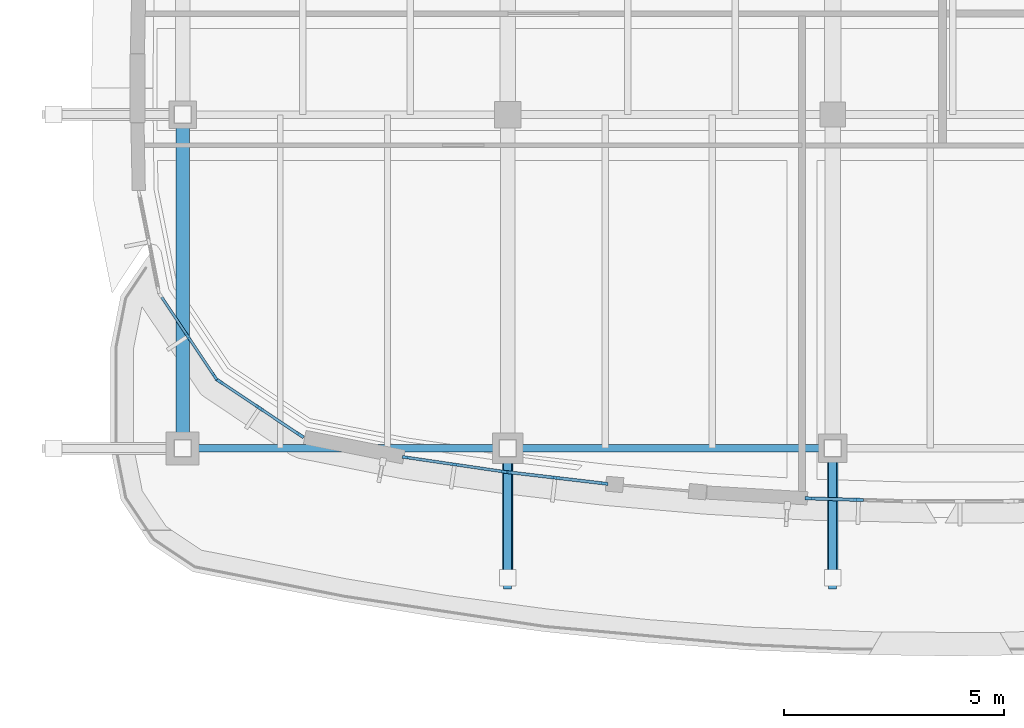
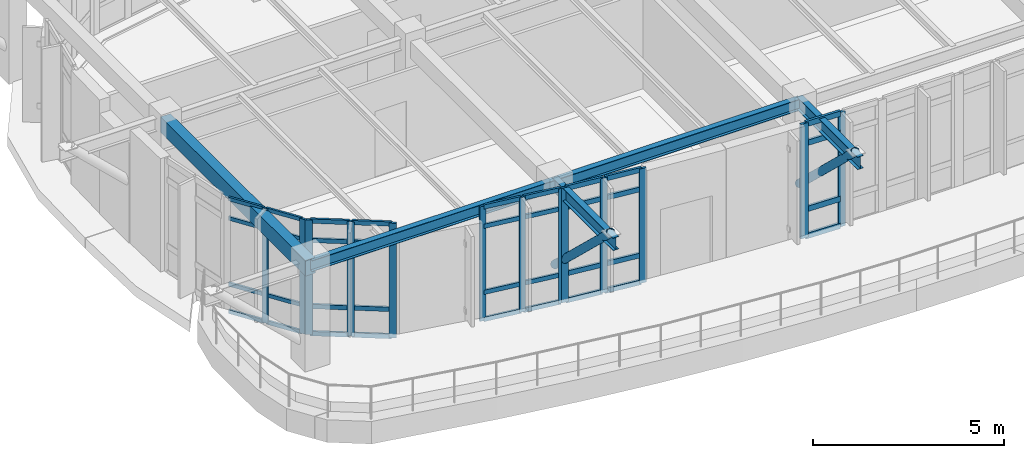
# One storey, part 22 of 105: 51 members, 5 beams, 5 elements without a shape of their own.
"""IFC4 building model written with IfcOpenShell, lengths in metres."""

from ifc_helpers import new_model, si_unit, direction, frame, origin, origin_2d, place, context, subcontext, project, spatial, rectangle, hollow_circle, i_section, extrude, material, material_profile, profile_set, type_object, element, aggregate, save


model = new_model("IFC4")

# Units and contexts
model_context = context("Model", 3, precision=1e-05, world=origin(), true_north=direction((0.0, 1.0)))
body_context = subcontext(model_context, "Body", "Model", "MODEL_VIEW")
ifc_project = project(units=[si_unit("LENGTHUNIT", "METRE"), si_unit("AREAUNIT", "SQUARE_METRE"), si_unit("VOLUMEUNIT", "CUBIC_METRE"), si_unit("PLANEANGLEUNIT", "RADIAN"), si_unit("MASSUNIT", "GRAM", prefix="KILO")], contexts=[model_context])

# Site, building, storey
site_placement = place(None, origin())
site = spatial("IfcSite", under=ifc_project, at=site_placement, CompositionType="ELEMENT")
building_placement = place(site_placement, origin())
building = spatial("IfcBuilding", under=site, at=building_placement, Name="Corveleigh Park Community Centre", CompositionType="ELEMENT")
storey_placement = place(building_placement, frame((0.0, 0.0, 8.699951171875)))
storey = spatial("IfcBuildingStorey", under=building, at=storey_placement, Name="L02", CompositionType="ELEMENT", Elevation=8.699951171875)

# Beams
ifc_material_1 = material(Name="Concrete C40/50", Category="concrete")
ifc_material_profile_1 = material_profile(ifc_material_1, rectangle(XDim=0.300048828125, YDim=0.5, at=origin_2d()), Name="RC-300x500", Category="concrete")
ifc_profile_set_1 = profile_set([ifc_material_profile_1], Name="Concrete C40/50")
beam_type_1 = type_object("IfcBeamType", Name="BM-RC-300x500", PredefinedType="BEAM", material=ifc_profile_set_1)
beam_1_placement = place(storey_placement, frame((72.0, 11.205078125, 3.362060546875), z_axis=(0.0, 1.0, 0.0), x_axis=(-1.0, 0.0, 0.0)))
element("IfcBeam", 1, at=beam_1_placement, inside=storey, type_object=beam_type_1, Name="V3 Girder Y", PredefinedType="BEAM", context=body_context, shape_type="SweptSolid", body=[
    extrude(rectangle(XDim=0.300048828125, YDim=0.5, at=origin_2d()), origin(), (0.0, 0.0, 1.0), 7.58984375),
])
ifc_material_2 = material(Name="Steel S355", Category="steel")
ifc_material_profile_2 = material_profile(ifc_material_2, i_section(OverallWidth=0.172119140625, OverallDepth=0.35791015625, WebThickness=0.008056640625, FlangeThickness=0.012939453125, at=origin_2d()), Name="UKB 356x171x57", Category="steel")
ifc_profile_set_2 = profile_set([ifc_material_profile_2], Name="Steel S355")
beam_type_2 = type_object("IfcBeamType", Name="BM-STL-UKB356x57", PredefinedType="BEAM", material=ifc_profile_set_2)
beam_2_placement = place(storey_placement, frame((72.0048828125, 11.199951171875, 3.43310546875), z_axis=(1.0, 0.0, 0.0), x_axis=(0.0, 1.0, 0.0)))
element("IfcBeam", 2, at=beam_2_placement, inside=storey, type_object=beam_type_2, Name="V3 Girder X", PredefinedType="BEAM", context=body_context, shape_type="SweptSolid", body=[
    extrude(i_section(OverallWidth=0.172119140625, OverallDepth=0.35791015625, WebThickness=0.008056640625, FlangeThickness=0.012939453125, at=origin_2d()), origin(), (0.0, 0.0, 1.0), 7.39013671875),
])
ifc_material_profile_3 = material_profile(ifc_material_2, i_section(OverallWidth=0.173095703125, OverallDepth=0.36328125, WebThickness=0.009033203125, FlangeThickness=0.015625, at=origin_2d()), Name="UKB 356x171x67", Category="steel")
ifc_profile_set_3 = profile_set([ifc_material_profile_3], Name="Steel S355")
beam_type_3 = type_object("IfcBeamType", Name="BM-STL-UKB356x67", PredefinedType="BEAM", material=ifc_profile_set_3)
beam_3_placement = place(storey_placement, frame((79.405029296875, 11.199951171875, 3.430419921875), z_axis=(1.0, 0.0, 0.0), x_axis=(0.0, 1.0, 0.0)))
element("IfcBeam", 3, at=beam_3_placement, inside=storey, type_object=beam_type_3, Name="V3 Girder X", PredefinedType="BEAM", context=body_context, shape_type="SweptSolid", body=[
    extrude(i_section(OverallWidth=0.173095703125, OverallDepth=0.36328125, WebThickness=0.009033203125, FlangeThickness=0.015625, at=origin_2d()), origin(), (0.0, 0.0, 1.0), 7.389892578125),
])
ifc_material_profile_4 = material_profile(ifc_material_2, i_section(OverallWidth=0.1787109375, OverallDepth=0.409423828125, WebThickness=0.0087890625, FlangeThickness=0.014404296875, at=origin_2d()), Name="UKB 406x178x67", Category="steel")
ifc_profile_set_4 = profile_set([ifc_material_profile_4], Name="Steel S355")
beam_type_4 = type_object("IfcBeamType", Name="BM-STL-UKB406x67", PredefinedType="BEAM", material=ifc_profile_set_4)
for number, where, z_axis, x_axis, name in (
    (4, (79.39990234375, 11.18994140625, 3.459228515625), (0.0, -1.0, 0.0), (1.0, 0.0, 0.0), "V3 Pebble Overhang Strut 2-0 Outrigger"),
    (5, (86.800048828125, 11.18994140625, 3.459228515625), (0.0, -1.0, 0.0), (1.0, 0.0, 0.0), "V3 Pebble Overhang Strut 3-0 Outrigger"),
):
    element("IfcBeam", number, at=place(storey_placement, frame(where, z_axis=z_axis, x_axis=x_axis)), inside=storey, type_object=beam_type_4, Name=name, PredefinedType="BEAM", context=body_context, shape_type="SweptSolid", body=[
        extrude(i_section(OverallWidth=0.1787109375, OverallDepth=0.409423828125, WebThickness=0.0087890625, FlangeThickness=0.014404296875, at=origin_2d()), origin(), (0.0, 0.0, 1.0), 3.18994140625),
    ])

# Curtain wall, members
ifc_material_3 = material(Name="Anodised aluminium 6063-T6", Category="aluminium")
curtain_wall_type = type_object("IfcCurtainWallType", Name="CW-SYS-V3-UPP", PredefinedType="NOTDEFINED", material=ifc_material_3)
curtain_wall_1_placement = place(storey_placement, origin())
curtain_wall_1 = element("IfcCurtainWall", 6, at=curtain_wall_1_placement, inside=storey, type_object=curtain_wall_type, Name="V3 L02 Curtain Wall 332", PredefinedType="NOTDEFINED")
ifc_material_profile_5 = material_profile(ifc_material_3, rectangle(XDim=0.06494140625, YDim=0.179931640625, at=origin_2d()), Name="ALU-M65x180", Category="aluminium")
ifc_profile_set_5 = profile_set([ifc_material_profile_5], Name="Anodised aluminium 6063-T6")
member_type_1 = type_object("IfcMemberType", Name="CWM-65x180", PredefinedType="MULLION", material=ifc_profile_set_5)
member_1_placement = place(storey_placement, frame((79.292724609375, 10.670654296875, 0.0), z_axis=(0.0, 0.0, 1.0), x_axis=(-0.144966003251, -0.989436636628, 0.0)))
member_1 = element("IfcMember", 7, at=member_1_placement, type_object=member_type_1, Name="CW06 mullion 1", PredefinedType="MULLION", context=body_context, shape_type="SweptSolid", body=[
    extrude(rectangle(XDim=0.06494140625, YDim=0.179931640625, at=origin_2d()), origin(), (0.0, 0.0, 1.0), 3.6640625),
])
member_2_placement = place(storey_placement, frame((78.19189453125, 10.83203125, 0.0), z_axis=(0.0, 0.0, 1.0), x_axis=(-0.144966003251, -0.989436636628, 0.0)))
member_2 = element("IfcMember", 8, at=member_2_placement, type_object=member_type_1, Name="CW06 mullion 2", PredefinedType="MULLION", context=body_context, shape_type="SweptSolid", body=[
    extrude(rectangle(XDim=0.06494140625, YDim=0.179931640625, at=origin_2d()), origin(), (0.0, 0.0, 1.0), 3.6640625),
])
member_3_placement = place(storey_placement, frame((77.091064453125, 10.993408203125, 0.0), z_axis=(0.0, 0.0, 1.0), x_axis=(-0.144966003251, -0.989436636628, 0.0)))
member_3 = element("IfcMember", 9, at=member_3_placement, type_object=member_type_1, Name="CW06 mullion 3", PredefinedType="MULLION", context=body_context, shape_type="SweptSolid", body=[
    extrude(rectangle(XDim=0.06494140625, YDim=0.179931640625, at=origin_2d()), origin(), (0.0, 0.0, 1.0), 3.6640625),
])

curtain_wall_2_placement = place(storey_placement, origin())
curtain_wall_2 = element("IfcCurtainWall", 10, at=curtain_wall_2_placement, inside=storey, type_object=curtain_wall_type, Name="V3 L02 Curtain Wall 356", PredefinedType="NOTDEFINED")
member_4_placement = place(storey_placement, frame((72.72802734375, 12.8349609375, 0.0), z_axis=(0.0, 0.0, 1.0), x_axis=(-0.831711453149, -0.55520812197, 0.0)))
member_4 = element("IfcMember", 11, at=member_4_placement, type_object=member_type_1, Name="CW06 mullion 1", PredefinedType="MULLION", context=body_context, shape_type="SweptSolid", body=[
    extrude(rectangle(XDim=0.06494140625, YDim=0.179931640625, at=origin_2d()), origin(), (0.0, 0.0, 1.0), 3.6640625),
])
member_5_placement = place(storey_placement, frame((72.115478515625, 13.75244140625, 0.0), z_axis=(0.0, 0.0, 1.0), x_axis=(-0.831711453149, -0.55520812197, 0.0)))
member_5 = element("IfcMember", 12, at=member_5_placement, type_object=member_type_1, Name="CW06 mullion 2", PredefinedType="MULLION", context=body_context, shape_type="SweptSolid", body=[
    extrude(rectangle(XDim=0.06494140625, YDim=0.179931640625, at=origin_2d()), origin(), (0.0, 0.0, 1.0), 3.6640625),
])

curtain_wall_3_placement = place(storey_placement, origin())
curtain_wall_3 = element("IfcCurtainWall", 13, at=curtain_wall_3_placement, inside=storey, type_object=curtain_wall_type, Name="V3 L02 Curtain Wall 333", PredefinedType="NOTDEFINED")
ifc_material_profile_6 = material_profile(ifc_material_3, rectangle(XDim=0.070068359375, YDim=0.199951171875, at=origin_2d()), Name="ALU-M70x200", Category="aluminium")
ifc_profile_set_6 = profile_set([ifc_material_profile_6], Name="Anodised aluminium 6063-T6")
member_type_2 = type_object("IfcMemberType", Name="CWM-70x200", PredefinedType="MULLION", material=ifc_profile_set_6)
member_6_placement = place(storey_placement, frame((81.584228515625, 10.401123046875, 0.0), z_axis=(0.0, 0.0, 1.0), x_axis=(-0.116512098316, -0.993189272468, 0.0)))
member_6 = element("IfcMember", 14, at=member_6_placement, type_object=member_type_2, Name="CW06 mullion 1", PredefinedType="MULLION", context=body_context, shape_type="SweptSolid", body=[
    extrude(rectangle(XDim=0.070068359375, YDim=0.199951171875, at=origin_2d()), origin(), (0.0, 0.0, 1.0), 3.6640625),
])
member_7_placement = place(storey_placement, frame((80.48095703125, 10.530517578125, 0.0), z_axis=(0.0, 0.0, 1.0), x_axis=(-0.116512098316, -0.993189272468, 0.0)))
member_7 = element("IfcMember", 15, at=member_7_placement, type_object=member_type_2, Name="CW06 mullion 2", PredefinedType="MULLION", context=body_context, shape_type="SweptSolid", body=[
    extrude(rectangle(XDim=0.070068359375, YDim=0.199951171875, at=origin_2d()), origin(), (0.0, 0.0, 1.0), 3.6640625),
])
member_8_placement = place(storey_placement, frame((79.377685546875, 10.659912109375, 0.0), z_axis=(0.0, 0.0, 1.0), x_axis=(-0.116512098316, -0.993189272468, 0.0)))
member_8 = element("IfcMember", 16, at=member_8_placement, type_object=member_type_2, Name="CW06 mullion 3", PredefinedType="MULLION", context=body_context, shape_type="SweptSolid", body=[
    extrude(rectangle(XDim=0.070068359375, YDim=0.199951171875, at=origin_2d()), origin(), (0.0, 0.0, 1.0), 3.6640625),
])

curtain_wall_4_placement = place(storey_placement, origin())
curtain_wall_4 = element("IfcCurtainWall", 17, at=curtain_wall_4_placement, inside=storey, type_object=curtain_wall_type, Name="V3 L02 Curtain Wall 357", PredefinedType="NOTDEFINED")
member_9_placement = place(storey_placement, frame((74.66796875, 11.50439453125, 0.0), z_axis=(0.0, 0.0, 1.0), x_axis=(-0.55520812197, -0.831711453149, 0.0)))
member_9 = element("IfcMember", 18, at=member_9_placement, type_object=member_type_2, Name="CW06 mullion 1", PredefinedType="MULLION", context=body_context, shape_type="SweptSolid", body=[
    extrude(rectangle(XDim=0.070068359375, YDim=0.199951171875, at=origin_2d()), origin(), (0.0, 0.0, 1.0), 3.6640625),
])
member_10_placement = place(storey_placement, frame((73.75244140625, 12.115478515625, 0.0), z_axis=(0.0, 0.0, 1.0), x_axis=(-0.55520812197, -0.831711453149, 0.0)))
member_10 = element("IfcMember", 19, at=member_10_placement, type_object=member_type_2, Name="CW06 mullion 2", PredefinedType="MULLION", context=body_context, shape_type="SweptSolid", body=[
    extrude(rectangle(XDim=0.070068359375, YDim=0.199951171875, at=origin_2d()), origin(), (0.0, 0.0, 1.0), 3.6640625),
])
member_11_placement = place(storey_placement, frame((72.837158203125, 12.7265625, 0.0), z_axis=(0.0, 0.0, 1.0), x_axis=(-0.55520812197, -0.831711453149, 0.0)))
member_11 = element("IfcMember", 20, at=member_11_placement, type_object=member_type_2, Name="CW06 mullion 3", PredefinedType="MULLION", context=body_context, shape_type="SweptSolid", body=[
    extrude(rectangle(XDim=0.070068359375, YDim=0.199951171875, at=origin_2d()), origin(), (0.0, 0.0, 1.0), 3.6640625),
])

curtain_wall_5_placement = place(storey_placement, origin())
curtain_wall_5 = element("IfcCurtainWall", 21, at=curtain_wall_5_placement, inside=storey, type_object=curtain_wall_type, Name="V3 L02 Curtain Wall 334", PredefinedType="NOTDEFINED")
ifc_material_profile_7 = material_profile(ifc_material_3, rectangle(XDim=0.074951171875, YDim=0.219970703125, at=origin_2d()), Name="ALU-M75x220", Category="aluminium")
ifc_profile_set_7 = profile_set([ifc_material_profile_7], Name="Anodised aluminium 6063-T6")
member_type_3 = type_object("IfcMemberType", Name="CWM-75x220", PredefinedType="MULLION", material=ifc_profile_set_7)
member_12_placement = place(storey_placement, frame((87.390380859375, 10.026611328125, 0.0), z_axis=(0.0, 0.0, 1.0), x_axis=(-0.029232373224, -0.999572642861, 0.0)))
member_12 = element("IfcMember", 22, at=member_12_placement, type_object=member_type_3, Name="CW06 mullion 2", PredefinedType="MULLION", context=body_context, shape_type="SweptSolid", body=[
    extrude(rectangle(XDim=0.074951171875, YDim=0.219970703125, at=origin_2d()), origin(), (0.0, 0.0, 1.0), 3.6640625),
])
member_13_placement = place(storey_placement, frame((86.282470703125, 10.058837890625, 0.0), z_axis=(0.0, 0.0, 1.0), x_axis=(-0.029232373224, -0.999572642861, 0.0)))
member_13 = element("IfcMember", 23, at=member_13_placement, type_object=member_type_3, Name="CW06 mullion 3", PredefinedType="MULLION", context=body_context, shape_type="SweptSolid", body=[
    extrude(rectangle(XDim=0.074951171875, YDim=0.219970703125, at=origin_2d()), origin(), (0.0, 0.0, 1.0), 3.6640625),
])

# Member
ifc_material_profile_8 = material_profile(ifc_material_3, rectangle(XDim=0.06005859375, YDim=0.1201171875, at=origin_2d()), Name="ALU-T60x120", Category="aluminium")
ifc_profile_set_8 = profile_set([ifc_material_profile_8], Name="Anodised aluminium 6063-T6")
member_type_4 = type_object("IfcMemberType", Name="CWT-60x120", PredefinedType="USERDEFINED", material=ifc_profile_set_8)
member_14_placement = place(storey_placement, frame((72.7099609375, 12.862060546875, 0.030029296875), z_axis=(-0.555188488549, 0.831724559084, 0.0), x_axis=(-0.831724559084, -0.555188488549, 0.0)))
member_14 = element("IfcMember", 24, at=member_14_placement, type_object=member_type_4, Name="CW06 transom 1.1", ObjectType="TRANSOM", PredefinedType="USERDEFINED", context=body_context, shape_type="SweptSolid", body=[
    extrude(rectangle(XDim=0.06005859375, YDim=0.1201171875, at=origin_2d()), origin(), (0.0, 0.0, 1.0), 1.038330078125),
])

member_15_placement = place(storey_placement, frame((72.7099609375, 12.862060546875, 0.900146484375), z_axis=(-0.555188488549, 0.831724559084, 0.0), x_axis=(-0.831724559084, -0.555188488549, 0.0)))
member_15 = element("IfcMember", 25, at=member_15_placement, type_object=member_type_4, Name="CW06 transom 1.2", ObjectType="TRANSOM", PredefinedType="USERDEFINED", context=body_context, shape_type="SweptSolid", body=[
    extrude(rectangle(XDim=0.06005859375, YDim=0.1201171875, at=origin_2d()), origin(), (0.0, 0.0, 1.0), 1.038330078125),
])

member_16_placement = place(storey_placement, frame((72.7099609375, 12.862060546875, 3.01416015625), z_axis=(-0.555188488549, 0.831724559084, 0.0), x_axis=(-0.831724559084, -0.555188488549, 0.0)))
member_16 = element("IfcMember", 26, at=member_16_placement, type_object=member_type_4, Name="CW06 transom 1.3", ObjectType="TRANSOM", PredefinedType="USERDEFINED", context=body_context, shape_type="SweptSolid", body=[
    extrude(rectangle(XDim=0.06005859375, YDim=0.1201171875, at=origin_2d()), origin(), (0.0, 0.0, 1.0), 1.038330078125),
])

member_17_placement = place(storey_placement, frame((72.7099609375, 12.862060546875, 3.634033203125), z_axis=(-0.555188488549, 0.831724559084, 0.0), x_axis=(-0.831724559084, -0.555188488549, 0.0)))
member_17 = element("IfcMember", 27, at=member_17_placement, type_object=member_type_4, Name="CW06 transom 1.4", ObjectType="TRANSOM", PredefinedType="USERDEFINED", context=body_context, shape_type="SweptSolid", body=[
    extrude(rectangle(XDim=0.06005859375, YDim=0.1201171875, at=origin_2d()), origin(), (0.0, 0.0, 1.0), 1.038330078125),
])

member_18_placement = place(storey_placement, frame((72.097412109375, 13.779541015625, 0.030029296875), z_axis=(-0.555297088707, 0.831652056616, 0.0), x_axis=(-0.831652056616, -0.555297088707, 0.0)))
member_18 = element("IfcMember", 28, at=member_18_placement, type_object=member_type_4, Name="CW06 transom 2.1", ObjectType="TRANSOM", PredefinedType="USERDEFINED", context=body_context, shape_type="SweptSolid", body=[
    extrude(rectangle(XDim=0.06005859375, YDim=0.1201171875, at=origin_2d()), origin(), (0.0, 0.0, 1.0), 1.0380859375),
])

member_19_placement = place(storey_placement, frame((72.097412109375, 13.779541015625, 0.900146484375), z_axis=(-0.555297088707, 0.831652056616, 0.0), x_axis=(-0.831652056616, -0.555297088707, 0.0)))
member_19 = element("IfcMember", 29, at=member_19_placement, type_object=member_type_4, Name="CW06 transom 2.2", ObjectType="TRANSOM", PredefinedType="USERDEFINED", context=body_context, shape_type="SweptSolid", body=[
    extrude(rectangle(XDim=0.06005859375, YDim=0.1201171875, at=origin_2d()), origin(), (0.0, 0.0, 1.0), 1.0380859375),
])

member_20_placement = place(storey_placement, frame((72.097412109375, 13.779541015625, 3.01416015625), z_axis=(-0.555297088707, 0.831652056616, 0.0), x_axis=(-0.831652056616, -0.555297088707, 0.0)))
member_20 = element("IfcMember", 30, at=member_20_placement, type_object=member_type_4, Name="CW06 transom 2.3", ObjectType="TRANSOM", PredefinedType="USERDEFINED", context=body_context, shape_type="SweptSolid", body=[
    extrude(rectangle(XDim=0.06005859375, YDim=0.1201171875, at=origin_2d()), origin(), (0.0, 0.0, 1.0), 1.0380859375),
])

member_21_placement = place(storey_placement, frame((72.097412109375, 13.779541015625, 3.634033203125), z_axis=(-0.555297088707, 0.831652056616, 0.0), x_axis=(-0.831652056616, -0.555297088707, 0.0)))
member_21 = element("IfcMember", 31, at=member_21_placement, type_object=member_type_4, Name="CW06 transom 2.4", ObjectType="TRANSOM", PredefinedType="USERDEFINED", context=body_context, shape_type="SweptSolid", body=[
    extrude(rectangle(XDim=0.06005859375, YDim=0.1201171875, at=origin_2d()), origin(), (0.0, 0.0, 1.0), 1.0380859375),
])

aggregate(curtain_wall_2, [member_4, member_5, member_14, member_15, member_16, member_17, member_18, member_19, member_20, member_21])

ifc_material_profile_9 = material_profile(ifc_material_3, rectangle(XDim=0.06494140625, YDim=0.139892578125, at=origin_2d()), Name="ALU-T65x140", Category="aluminium")
ifc_profile_set_9 = profile_set([ifc_material_profile_9], Name="Anodised aluminium 6063-T6")
member_type_5 = type_object("IfcMemberType", Name="CWT-65x140", PredefinedType="USERDEFINED", material=ifc_profile_set_9)
member_22_placement = place(storey_placement, frame((79.2607421875, 10.675537109375, 0.032470703125), z_axis=(-0.989439881467, 0.144943854515, 0.0), x_axis=(-0.144943854515, -0.989439881467, 0.0)))
member_22 = element("IfcMember", 32, at=member_22_placement, type_object=member_type_5, Name="CW06 transom 1.1", ObjectType="TRANSOM", PredefinedType="USERDEFINED", context=body_context, shape_type="SweptSolid", body=[
    extrude(rectangle(XDim=0.06494140625, YDim=0.139892578125, at=origin_2d()), origin(), (0.0, 0.0, 1.0), 1.047607421875),
])

member_23_placement = place(storey_placement, frame((79.2607421875, 10.675537109375, 0.900146484375), z_axis=(-0.989439881467, 0.144943854515, 0.0), x_axis=(-0.144943854515, -0.989439881467, 0.0)))
member_23 = element("IfcMember", 33, at=member_23_placement, type_object=member_type_5, Name="CW06 transom 1.2", ObjectType="TRANSOM", PredefinedType="USERDEFINED", context=body_context, shape_type="SweptSolid", body=[
    extrude(rectangle(XDim=0.06494140625, YDim=0.139892578125, at=origin_2d()), origin(), (0.0, 0.0, 1.0), 1.047607421875),
])

member_24_placement = place(storey_placement, frame((79.2607421875, 10.675537109375, 3.01416015625), z_axis=(-0.989439881467, 0.144943854515, 0.0), x_axis=(-0.144943854515, -0.989439881467, 0.0)))
member_24 = element("IfcMember", 34, at=member_24_placement, type_object=member_type_5, Name="CW06 transom 1.3", ObjectType="TRANSOM", PredefinedType="USERDEFINED", context=body_context, shape_type="SweptSolid", body=[
    extrude(rectangle(XDim=0.06494140625, YDim=0.139892578125, at=origin_2d()), origin(), (0.0, 0.0, 1.0), 1.047607421875),
])

member_25_placement = place(storey_placement, frame((79.2607421875, 10.675537109375, 3.631591796875), z_axis=(-0.989439881467, 0.144943854515, 0.0), x_axis=(-0.144943854515, -0.989439881467, 0.0)))
member_25 = element("IfcMember", 35, at=member_25_placement, type_object=member_type_5, Name="CW06 transom 1.4", ObjectType="TRANSOM", PredefinedType="USERDEFINED", context=body_context, shape_type="SweptSolid", body=[
    extrude(rectangle(XDim=0.06494140625, YDim=0.139892578125, at=origin_2d()), origin(), (0.0, 0.0, 1.0), 1.047607421875),
])

member_26_placement = place(storey_placement, frame((78.159912109375, 10.836669921875, 0.032470703125), z_axis=(-0.989439881467, 0.144943854515, 0.0), x_axis=(-0.144943854515, -0.989439881467, 0.0)))
member_26 = element("IfcMember", 36, at=member_26_placement, type_object=member_type_5, Name="CW06 transom 2.1", ObjectType="TRANSOM", PredefinedType="USERDEFINED", context=body_context, shape_type="SweptSolid", body=[
    extrude(rectangle(XDim=0.06494140625, YDim=0.139892578125, at=origin_2d()), origin(), (0.0, 0.0, 1.0), 1.047607421875),
])

member_27_placement = place(storey_placement, frame((78.159912109375, 10.836669921875, 0.900146484375), z_axis=(-0.989439881467, 0.144943854515, 0.0), x_axis=(-0.144943854515, -0.989439881467, 0.0)))
member_27 = element("IfcMember", 37, at=member_27_placement, type_object=member_type_5, Name="CW06 transom 2.2", ObjectType="TRANSOM", PredefinedType="USERDEFINED", context=body_context, shape_type="SweptSolid", body=[
    extrude(rectangle(XDim=0.06494140625, YDim=0.139892578125, at=origin_2d()), origin(), (0.0, 0.0, 1.0), 1.047607421875),
])

member_28_placement = place(storey_placement, frame((78.159912109375, 10.836669921875, 3.01416015625), z_axis=(-0.989439881467, 0.144943854515, 0.0), x_axis=(-0.144943854515, -0.989439881467, 0.0)))
member_28 = element("IfcMember", 38, at=member_28_placement, type_object=member_type_5, Name="CW06 transom 2.3", ObjectType="TRANSOM", PredefinedType="USERDEFINED", context=body_context, shape_type="SweptSolid", body=[
    extrude(rectangle(XDim=0.06494140625, YDim=0.139892578125, at=origin_2d()), origin(), (0.0, 0.0, 1.0), 1.047607421875),
])

member_29_placement = place(storey_placement, frame((78.159912109375, 10.836669921875, 3.631591796875), z_axis=(-0.989439881467, 0.144943854515, 0.0), x_axis=(-0.144943854515, -0.989439881467, 0.0)))
member_29 = element("IfcMember", 39, at=member_29_placement, type_object=member_type_5, Name="CW06 transom 2.4", ObjectType="TRANSOM", PredefinedType="USERDEFINED", context=body_context, shape_type="SweptSolid", body=[
    extrude(rectangle(XDim=0.06494140625, YDim=0.139892578125, at=origin_2d()), origin(), (0.0, 0.0, 1.0), 1.047607421875),
])

aggregate(curtain_wall_1, [member_1, member_2, member_3, member_22, member_23, member_24, member_25, member_26, member_27, member_28, member_29])

member_30_placement = place(storey_placement, frame((74.638671875, 11.52392578125, 0.032470703125), z_axis=(-0.831795071234, 0.555082840188, 0.0), x_axis=(-0.555082840188, -0.831795071234, 0.0)))
member_30 = element("IfcMember", 40, at=member_30_placement, type_object=member_type_5, Name="CW06 transom 1.1", ObjectType="TRANSOM", PredefinedType="USERDEFINED", context=body_context, shape_type="SweptSolid", body=[
    extrude(rectangle(XDim=0.06494140625, YDim=0.139892578125, at=origin_2d()), origin(), (0.0, 0.0, 1.0), 1.030517578125),
])

member_31_placement = place(storey_placement, frame((74.638671875, 11.52392578125, 0.900146484375), z_axis=(-0.831795071234, 0.555082840188, 0.0), x_axis=(-0.555082840188, -0.831795071234, 0.0)))
member_31 = element("IfcMember", 41, at=member_31_placement, type_object=member_type_5, Name="CW06 transom 1.2", ObjectType="TRANSOM", PredefinedType="USERDEFINED", context=body_context, shape_type="SweptSolid", body=[
    extrude(rectangle(XDim=0.06494140625, YDim=0.139892578125, at=origin_2d()), origin(), (0.0, 0.0, 1.0), 1.030517578125),
])

member_32_placement = place(storey_placement, frame((74.638671875, 11.52392578125, 3.01416015625), z_axis=(-0.831795071234, 0.555082840188, 0.0), x_axis=(-0.555082840188, -0.831795071234, 0.0)))
member_32 = element("IfcMember", 42, at=member_32_placement, type_object=member_type_5, Name="CW06 transom 1.3", ObjectType="TRANSOM", PredefinedType="USERDEFINED", context=body_context, shape_type="SweptSolid", body=[
    extrude(rectangle(XDim=0.06494140625, YDim=0.139892578125, at=origin_2d()), origin(), (0.0, 0.0, 1.0), 1.030517578125),
])

member_33_placement = place(storey_placement, frame((74.638671875, 11.52392578125, 3.631591796875), z_axis=(-0.831795071234, 0.555082840188, 0.0), x_axis=(-0.555082840188, -0.831795071234, 0.0)))
member_33 = element("IfcMember", 43, at=member_33_placement, type_object=member_type_5, Name="CW06 transom 1.4", ObjectType="TRANSOM", PredefinedType="USERDEFINED", context=body_context, shape_type="SweptSolid", body=[
    extrude(rectangle(XDim=0.06494140625, YDim=0.139892578125, at=origin_2d()), origin(), (0.0, 0.0, 1.0), 1.030517578125),
])

member_34_placement = place(storey_placement, frame((73.723388671875, 12.135009765625, 0.032470703125), z_axis=(-0.831795071234, 0.555082840188, 0.0), x_axis=(-0.555082840188, -0.831795071234, 0.0)))
member_34 = element("IfcMember", 44, at=member_34_placement, type_object=member_type_5, Name="CW06 transom 2.1", ObjectType="TRANSOM", PredefinedType="USERDEFINED", context=body_context, shape_type="SweptSolid", body=[
    extrude(rectangle(XDim=0.06494140625, YDim=0.139892578125, at=origin_2d()), origin(), (0.0, 0.0, 1.0), 1.030517578125),
])

member_35_placement = place(storey_placement, frame((73.723388671875, 12.135009765625, 0.900146484375), z_axis=(-0.831795071234, 0.555082840188, 0.0), x_axis=(-0.555082840188, -0.831795071234, 0.0)))
member_35 = element("IfcMember", 45, at=member_35_placement, type_object=member_type_5, Name="CW06 transom 2.2", ObjectType="TRANSOM", PredefinedType="USERDEFINED", context=body_context, shape_type="SweptSolid", body=[
    extrude(rectangle(XDim=0.06494140625, YDim=0.139892578125, at=origin_2d()), origin(), (0.0, 0.0, 1.0), 1.030517578125),
])

member_36_placement = place(storey_placement, frame((73.723388671875, 12.135009765625, 3.01416015625), z_axis=(-0.831795071234, 0.555082840188, 0.0), x_axis=(-0.555082840188, -0.831795071234, 0.0)))
member_36 = element("IfcMember", 46, at=member_36_placement, type_object=member_type_5, Name="CW06 transom 2.3", ObjectType="TRANSOM", PredefinedType="USERDEFINED", context=body_context, shape_type="SweptSolid", body=[
    extrude(rectangle(XDim=0.06494140625, YDim=0.139892578125, at=origin_2d()), origin(), (0.0, 0.0, 1.0), 1.030517578125),
])

member_37_placement = place(storey_placement, frame((73.723388671875, 12.135009765625, 3.631591796875), z_axis=(-0.831795071234, 0.555082840188, 0.0), x_axis=(-0.555082840188, -0.831795071234, 0.0)))
member_37 = element("IfcMember", 47, at=member_37_placement, type_object=member_type_5, Name="CW06 transom 2.4", ObjectType="TRANSOM", PredefinedType="USERDEFINED", context=body_context, shape_type="SweptSolid", body=[
    extrude(rectangle(XDim=0.06494140625, YDim=0.139892578125, at=origin_2d()), origin(), (0.0, 0.0, 1.0), 1.030517578125),
])

aggregate(curtain_wall_4, [member_9, member_10, member_11, member_30, member_31, member_32, member_33, member_34, member_35, member_36, member_37])

ifc_material_profile_10 = material_profile(ifc_material_3, rectangle(XDim=0.070068359375, YDim=0.155029296875, at=origin_2d()), Name="ALU-T70x155", Category="aluminium")
ifc_profile_set_10 = profile_set([ifc_material_profile_10], Name="Anodised aluminium 6063-T6")
member_type_6 = type_object("IfcMemberType", Name="CWT-70x155", PredefinedType="USERDEFINED", material=ifc_profile_set_10)
member_38_placement = place(storey_placement, frame((81.549560546875, 10.4052734375, 0.03515625), z_axis=(-0.993208127481, 0.116351259148, 0.0), x_axis=(-0.116351259148, -0.993208127481, 0.0)))
member_38 = element("IfcMember", 48, at=member_38_placement, type_object=member_type_6, Name="CW06 transom 1.1", ObjectType="TRANSOM", PredefinedType="USERDEFINED", context=body_context, shape_type="SweptSolid", body=[
    extrude(rectangle(XDim=0.070068359375, YDim=0.155029296875, at=origin_2d()), origin(), (0.0, 0.0, 1.0), 1.040771484375),
])

member_39_placement = place(storey_placement, frame((81.549560546875, 10.4052734375, 0.900146484375), z_axis=(-0.993208127481, 0.116351259148, 0.0), x_axis=(-0.116351259148, -0.993208127481, 0.0)))
member_39 = element("IfcMember", 49, at=member_39_placement, type_object=member_type_6, Name="CW06 transom 1.2", ObjectType="TRANSOM", PredefinedType="USERDEFINED", context=body_context, shape_type="SweptSolid", body=[
    extrude(rectangle(XDim=0.070068359375, YDim=0.155029296875, at=origin_2d()), origin(), (0.0, 0.0, 1.0), 1.040771484375),
])

member_40_placement = place(storey_placement, frame((81.549560546875, 10.4052734375, 3.01416015625), z_axis=(-0.993208127481, 0.116351259148, 0.0), x_axis=(-0.116351259148, -0.993208127481, 0.0)))
member_40 = element("IfcMember", 50, at=member_40_placement, type_object=member_type_6, Name="CW06 transom 1.3", ObjectType="TRANSOM", PredefinedType="USERDEFINED", context=body_context, shape_type="SweptSolid", body=[
    extrude(rectangle(XDim=0.070068359375, YDim=0.155029296875, at=origin_2d()), origin(), (0.0, 0.0, 1.0), 1.040771484375),
])

member_41_placement = place(storey_placement, frame((81.549560546875, 10.4052734375, 3.629150390625), z_axis=(-0.993208127481, 0.116351259148, 0.0), x_axis=(-0.116351259148, -0.993208127481, 0.0)))
member_41 = element("IfcMember", 51, at=member_41_placement, type_object=member_type_6, Name="CW06 transom 1.4", ObjectType="TRANSOM", PredefinedType="USERDEFINED", context=body_context, shape_type="SweptSolid", body=[
    extrude(rectangle(XDim=0.070068359375, YDim=0.155029296875, at=origin_2d()), origin(), (0.0, 0.0, 1.0), 1.040771484375),
])

member_42_placement = place(storey_placement, frame((80.4462890625, 10.53466796875, 0.03515625), z_axis=(-0.993208127481, 0.116351259148, 0.0), x_axis=(-0.116351259148, -0.993208127481, 0.0)))
member_42 = element("IfcMember", 52, at=member_42_placement, type_object=member_type_6, Name="CW06 transom 2.1", ObjectType="TRANSOM", PredefinedType="USERDEFINED", context=body_context, shape_type="SweptSolid", body=[
    extrude(rectangle(XDim=0.070068359375, YDim=0.155029296875, at=origin_2d()), origin(), (0.0, 0.0, 1.0), 1.040771484375),
])

member_43_placement = place(storey_placement, frame((80.4462890625, 10.53466796875, 0.900146484375), z_axis=(-0.993208127481, 0.116351259148, 0.0), x_axis=(-0.116351259148, -0.993208127481, 0.0)))
member_43 = element("IfcMember", 53, at=member_43_placement, type_object=member_type_6, Name="CW06 transom 2.2", ObjectType="TRANSOM", PredefinedType="USERDEFINED", context=body_context, shape_type="SweptSolid", body=[
    extrude(rectangle(XDim=0.070068359375, YDim=0.155029296875, at=origin_2d()), origin(), (0.0, 0.0, 1.0), 1.040771484375),
])

member_44_placement = place(storey_placement, frame((80.4462890625, 10.53466796875, 3.01416015625), z_axis=(-0.993208127481, 0.116351259148, 0.0), x_axis=(-0.116351259148, -0.993208127481, 0.0)))
member_44 = element("IfcMember", 54, at=member_44_placement, type_object=member_type_6, Name="CW06 transom 2.3", ObjectType="TRANSOM", PredefinedType="USERDEFINED", context=body_context, shape_type="SweptSolid", body=[
    extrude(rectangle(XDim=0.070068359375, YDim=0.155029296875, at=origin_2d()), origin(), (0.0, 0.0, 1.0), 1.040771484375),
])

member_45_placement = place(storey_placement, frame((80.4462890625, 10.53466796875, 3.629150390625), z_axis=(-0.993208127481, 0.116351259148, 0.0), x_axis=(-0.116351259148, -0.993208127481, 0.0)))
member_45 = element("IfcMember", 55, at=member_45_placement, type_object=member_type_6, Name="CW06 transom 2.4", ObjectType="TRANSOM", PredefinedType="USERDEFINED", context=body_context, shape_type="SweptSolid", body=[
    extrude(rectangle(XDim=0.070068359375, YDim=0.155029296875, at=origin_2d()), origin(), (0.0, 0.0, 1.0), 1.040771484375),
])

aggregate(curtain_wall_3, [member_6, member_7, member_8, member_38, member_39, member_40, member_41, member_42, member_43, member_44, member_45])

ifc_material_profile_11 = material_profile(ifc_material_3, rectangle(XDim=0.074951171875, YDim=0.175048828125, at=origin_2d()), Name="ALU-T75x175", Category="aluminium")
ifc_profile_set_11 = profile_set([ifc_material_profile_11], Name="Anodised aluminium 6063-T6")
member_type_7 = type_object("IfcMemberType", Name="CWT-75x175", PredefinedType="USERDEFINED", material=ifc_profile_set_11)
member_46_placement = place(storey_placement, frame((87.35302734375, 10.027587890625, 0.03759765625), z_axis=(-0.999570811909, 0.029294913892, 0.0), x_axis=(-0.029294913892, -0.999570811909, 0.0)))
member_46 = element("IfcMember", 56, at=member_46_placement, type_object=member_type_7, Name="CW06 transom 2.1", ObjectType="TRANSOM", PredefinedType="USERDEFINED", context=body_context, shape_type="SweptSolid", body=[
    extrude(rectangle(XDim=0.074951171875, YDim=0.175048828125, at=origin_2d()), origin(), (0.0, 0.0, 1.0), 1.033447265625),
])

member_47_placement = place(storey_placement, frame((87.35302734375, 10.027587890625, 0.900146484375), z_axis=(-0.999570811909, 0.029294913892, 0.0), x_axis=(-0.029294913892, -0.999570811909, 0.0)))
member_47 = element("IfcMember", 57, at=member_47_placement, type_object=member_type_7, Name="CW06 transom 2.2", ObjectType="TRANSOM", PredefinedType="USERDEFINED", context=body_context, shape_type="SweptSolid", body=[
    extrude(rectangle(XDim=0.074951171875, YDim=0.175048828125, at=origin_2d()), origin(), (0.0, 0.0, 1.0), 1.033447265625),
])

member_48_placement = place(storey_placement, frame((87.35302734375, 10.027587890625, 3.01416015625), z_axis=(-0.999570811909, 0.029294913892, 0.0), x_axis=(-0.029294913892, -0.999570811909, 0.0)))
member_48 = element("IfcMember", 58, at=member_48_placement, type_object=member_type_7, Name="CW06 transom 2.3", ObjectType="TRANSOM", PredefinedType="USERDEFINED", context=body_context, shape_type="SweptSolid", body=[
    extrude(rectangle(XDim=0.074951171875, YDim=0.175048828125, at=origin_2d()), origin(), (0.0, 0.0, 1.0), 1.033447265625),
])

member_49_placement = place(storey_placement, frame((87.35302734375, 10.027587890625, 3.62646484375), z_axis=(-0.999570811909, 0.029294913892, 0.0), x_axis=(-0.029294913892, -0.999570811909, 0.0)))
member_49 = element("IfcMember", 59, at=member_49_placement, type_object=member_type_7, Name="CW06 transom 2.4", ObjectType="TRANSOM", PredefinedType="USERDEFINED", context=body_context, shape_type="SweptSolid", body=[
    extrude(rectangle(XDim=0.074951171875, YDim=0.175048828125, at=origin_2d()), origin(), (0.0, 0.0, 1.0), 1.033447265625),
])

aggregate(curtain_wall_5, [member_12, member_13, member_46, member_47, member_48, member_49])

# Members
ifc_material_profile_12 = material_profile(ifc_material_2, hollow_circle(Radius=0.122314453125, WallThickness=0.012451171875, at=origin_2d()), Name="CHS 244.5x12.5", Category="steel")
ifc_profile_set_12 = profile_set([ifc_material_profile_12], Name="Steel S355")
member_type_8 = type_object("IfcMemberType", Name="MEM-STR-CHS245", PredefinedType="STRUT", material=ifc_profile_set_12)
for number, where, z_axis, x_axis, name in (
    (60, (79.39990234375, 11.199951171875, 0.85009765625), (0.0, -0.723742424905, 0.690070215553), (1.0, 0.0, 0.0), "V3 Pebble Overhang Strut 2-0"),
    (61, (86.800048828125, 11.199951171875, 0.85009765625), (0.0, -0.723742424905, 0.690070215553), (1.0, 0.0, 0.0), "V3 Pebble Overhang Strut 3-0"),
):
    element("IfcMember", number, at=place(storey_placement, frame(where, z_axis=z_axis, x_axis=x_axis)), inside=storey, type_object=member_type_8, Name=name, PredefinedType="STRUT", context=body_context, shape_type="SweptSolid", body=[
        extrude(hollow_circle(Radius=0.122314453125, WallThickness=0.012451171875, at=origin_2d()), origin(), (0.0, 0.0, 1.0), 4.067626953125),
    ])

save(model, "model.ifc")
